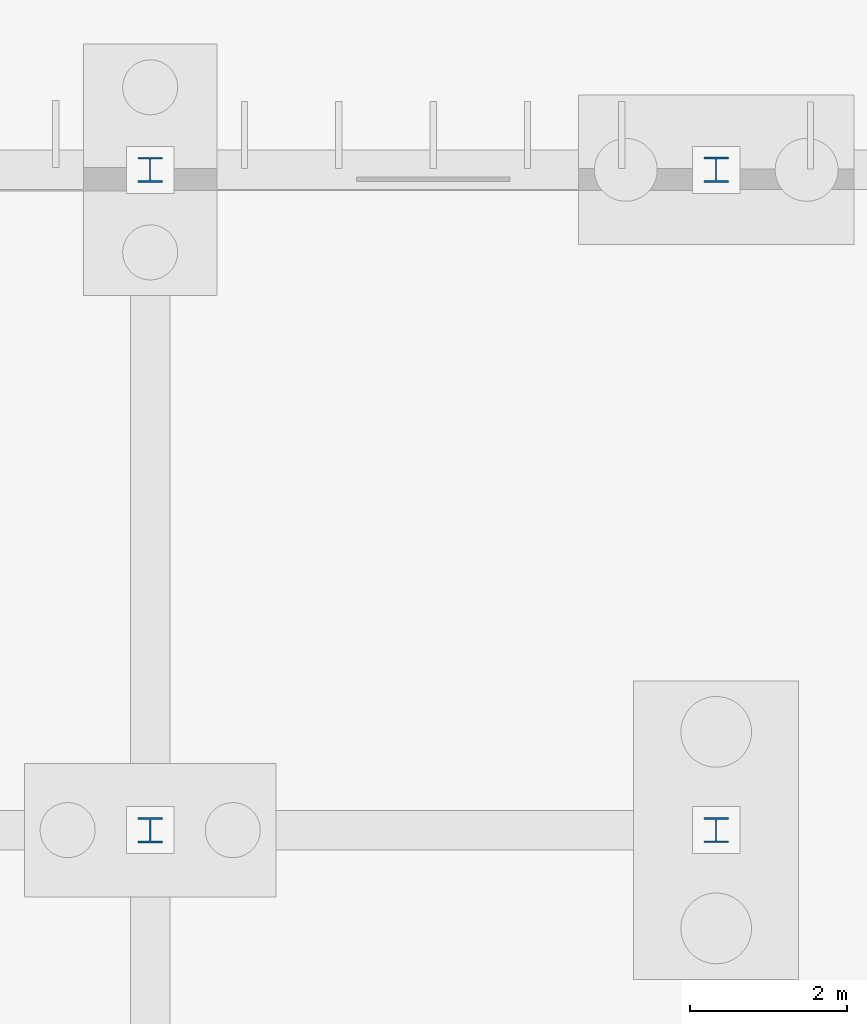
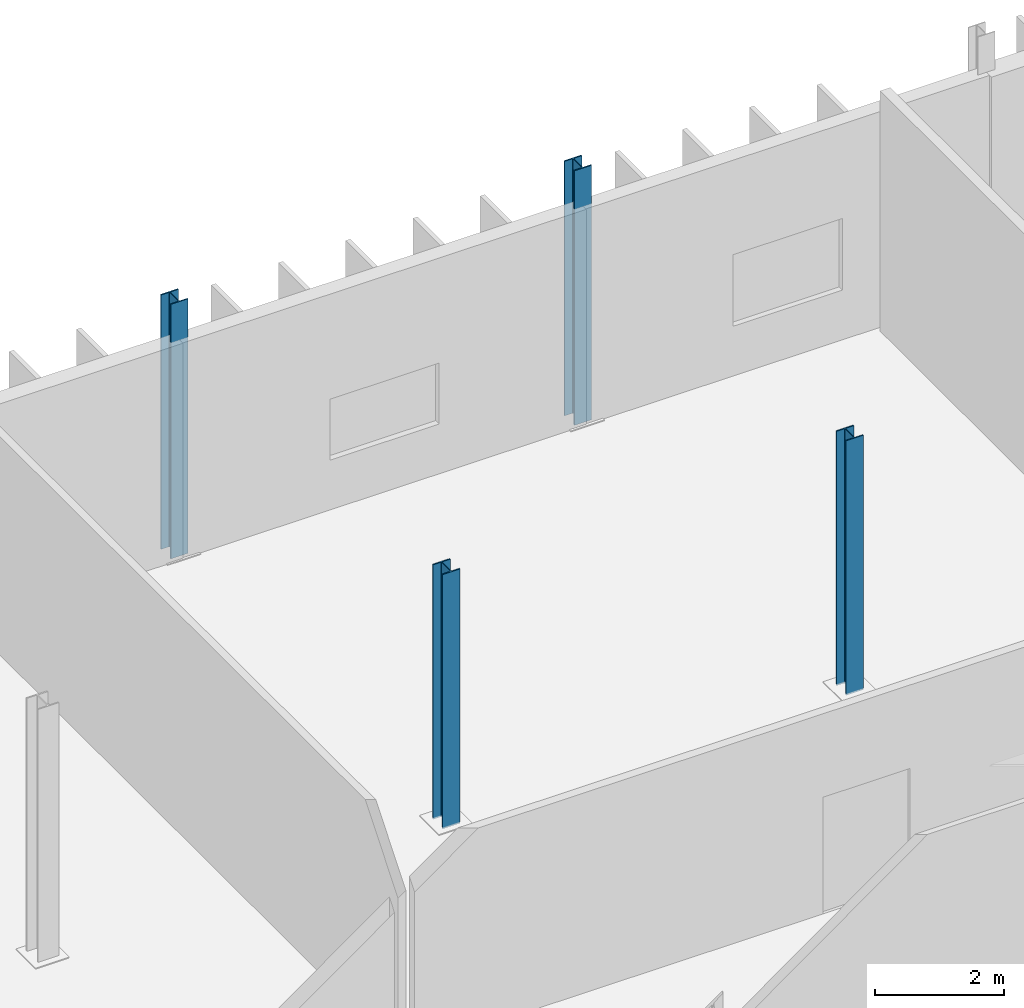
# One storey, part 24 of 118: 4 columns.
"""IFC4 building model written with IfcOpenShell, lengths in metres."""

from ifc_helpers import new_model, si_unit, direction, frame, origin, origin_2d, place, context, subcontext, project, spatial, i_section, extrude, material, material_profile, profile_set, type_object, element, save


model = new_model("IFC4")

# Units and contexts
model_context = context("Model", 3, precision=1e-05, world=origin(), true_north=direction((0.0, 1.0)))
body_context = subcontext(model_context, "Body", "Model", "MODEL_VIEW")
ifc_project = project(units=[si_unit("LENGTHUNIT", "METRE"), si_unit("AREAUNIT", "SQUARE_METRE"), si_unit("VOLUMEUNIT", "CUBIC_METRE"), si_unit("PLANEANGLEUNIT", "RADIAN"), si_unit("MASSUNIT", "GRAM", prefix="KILO")], contexts=[model_context])

# Site, building, storey
site_placement = place(None, origin())
site = spatial("IfcSite", under=ifc_project, at=site_placement, CompositionType="ELEMENT")
building_placement = place(site_placement, origin())
building = spatial("IfcBuilding", under=site, at=building_placement, Name="Qelthora Terrace Specialist Clinic", CompositionType="ELEMENT")
storey_placement = place(building_placement, origin())
storey = spatial("IfcBuildingStorey", under=building, at=storey_placement, Name="L00", CompositionType="ELEMENT", Elevation=0.0)

# Columns
ifc_material = material(Name="Steel S355", Category="steel")
ifc_material_profile_1 = material_profile(ifc_material, i_section(OverallWidth=0.30810546875, OverallDepth=0.318115234375, WebThickness=0.01318359375, FlangeThickness=0.0205078125, FilletRadius=0.01611328125, at=origin_2d()), Name="W310X129")
ifc_profile_set_1 = profile_set([ifc_material_profile_1], Name="Steel S355")
column_type_1 = type_object("IfcColumnType", Name="COL-W310X129", PredefinedType="COLUMN", material=ifc_profile_set_1)
for number, where, z_axis, x_axis, name in (
    (1, (115.199951171875, 109.199951171875, 0.0), (0.0, 0.0, 1.0), (1.0, 0.0, 0.0), "Column L00-197"),
    (2, (122.39990234375, 100.800048828125, 0.0), (0.0, 0.0, 1.0), (1.0, 0.0, 0.0), "Column L00-205"),
):
    element("IfcColumn", number, at=place(storey_placement, frame(where, z_axis=z_axis, x_axis=x_axis)), inside=storey, type_object=column_type_1, Name=name, PredefinedType="COLUMN", context=body_context, shape_type="SweptSolid", body=[
        extrude(i_section(OverallWidth=0.30810546875, OverallDepth=0.318115234375, WebThickness=0.01318359375, FlangeThickness=0.0205078125, FilletRadius=0.01611328125, at=origin_2d()), origin(), (0.0, 0.0, 1.0), 4.800048828125),
    ])
ifc_material_profile_2 = material_profile(ifc_material, i_section(OverallWidth=0.30908203125, OverallDepth=0.322998046875, WebThickness=0.013916015625, FlangeThickness=0.02294921875, FilletRadius=0.01611328125, at=origin_2d()), Name="W310X143")
ifc_profile_set_2 = profile_set([ifc_material_profile_2], Name="Steel S355")
column_type_2 = type_object("IfcColumnType", Name="COL-W310X143", PredefinedType="COLUMN", material=ifc_profile_set_2)
for number, where, z_axis, x_axis, name in (
    (3, (115.199951171875, 100.800048828125, 0.0), (0.0, 0.0, 1.0), (1.0, 0.0, 0.0), "Column L00-196"),
    (4, (122.39990234375, 109.199951171875, 0.0), (0.0, 0.0, 1.0), (1.0, 0.0, 0.0), "Column L00-206"),
):
    element("IfcColumn", number, at=place(storey_placement, frame(where, z_axis=z_axis, x_axis=x_axis)), inside=storey, type_object=column_type_2, Name=name, PredefinedType="COLUMN", context=body_context, shape_type="SweptSolid", body=[
        extrude(i_section(OverallWidth=0.30908203125, OverallDepth=0.322998046875, WebThickness=0.013916015625, FlangeThickness=0.02294921875, FilletRadius=0.01611328125, at=origin_2d()), origin(), (0.0, 0.0, 1.0), 4.800048828125),
    ])

save(model, "model.ifc")
